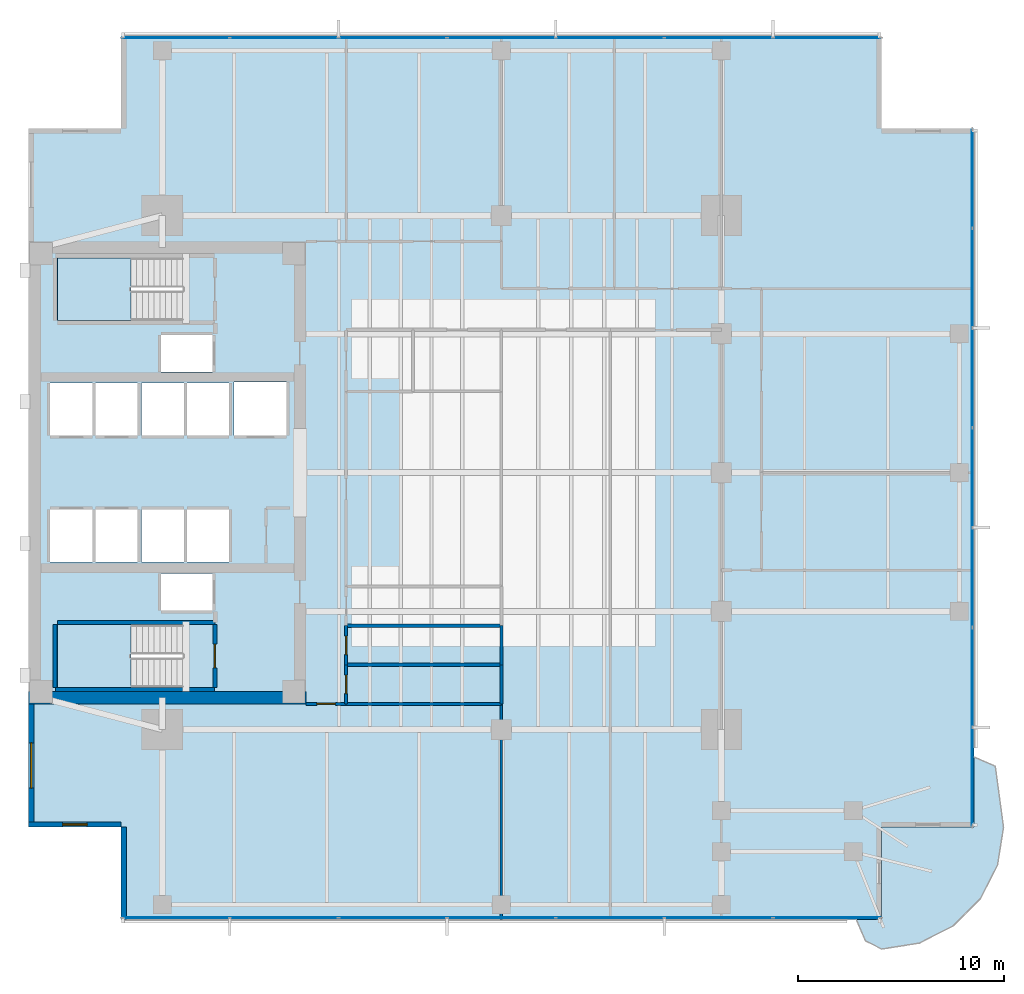
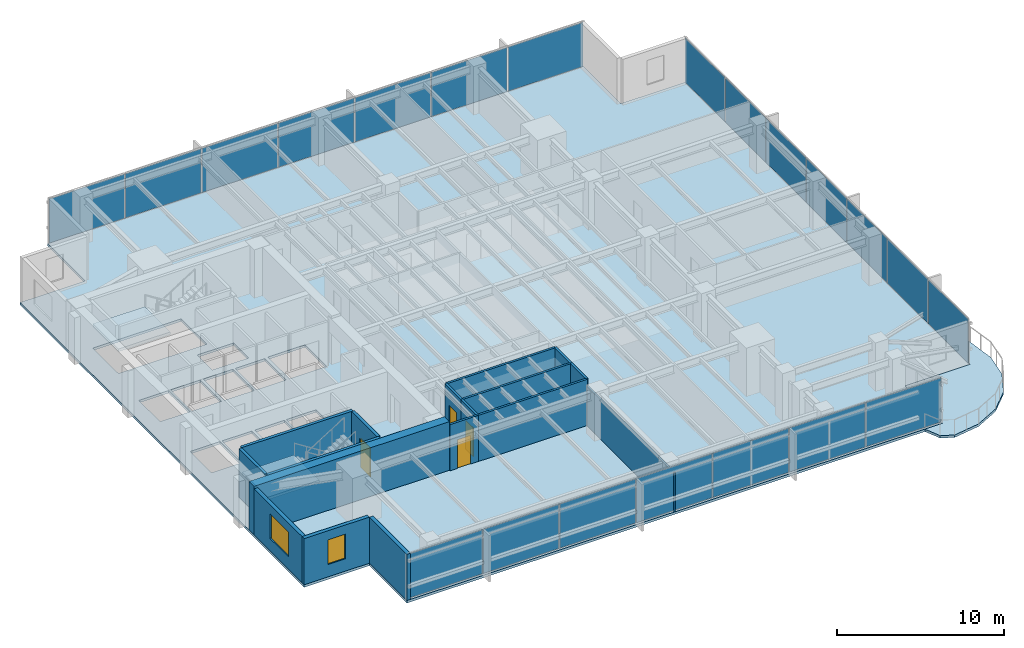
# One storey, part 7 of 14: 21 plates, 17 walls, 4 doors, 4 slabs, 2 windows, 6 openings, 5 elements without a shape of their own.
"""IFC4 building model written with IfcOpenShell, lengths in metres."""

import ifcopenshell
import ifcopenshell.guid

model = None  # the IFC model being written
_history = None  # IfcOwnerHistory: only IFC2X3 demands one
_inside = {}  # id of a spatial element -> (the spatial element, [elements in it])
_under = {}  # id of a project, library or spatial element -> (it, [spatial elements below it])
_declared = {}  # id of a project -> (the project, [libraries it declares])
_typed = {}  # id of a type object -> (the type object, [elements of that type])
_made_of = {}  # id of a material, layer set ... -> (it, [elements and type objects made of it])


def new_model(schema):
    """Start an empty IFC model of exactly this schema.

    Asked for "IFC4X3", IfcOpenShell would pick the latest addendum, in which some entities
    have other attributes; the version numbers below select the first issue.
    IFC2X3 requires an IfcOwnerHistory on every rooted entity: one is made here for all.
    """
    global model, _history
    if schema == "IFC4X3":
        model = ifcopenshell.file(schema_version=(4, 3, 0, 0))
    else:
        model = ifcopenshell.file(schema=schema)
    _inside.clear()
    _under.clear()
    _declared.clear()
    _typed.clear()
    _made_of.clear()
    _history = None
    if model.schema == "IFC2X3":
        org = make("IfcOrganization", Name="unknown")
        user = make(
            "IfcPersonAndOrganization",
            ThePerson=make("IfcPerson", FamilyName="unknown"),
            TheOrganization=org,
        )
        app = make(
            "IfcApplication",
            ApplicationDeveloper=org,
            Version="unknown",
            ApplicationFullName="unknown",
            ApplicationIdentifier="unknown",
        )
        _history = make(
            "IfcOwnerHistory",
            OwningUser=user,
            OwningApplication=app,
            ChangeAction="ADDED",
            CreationDate=0,
        )
    return model


def make(cls, **values):
    """One entity of the class cls with the attributes given. An attribute that is None is left unset."""
    return model.create_entity(
        cls, **{name: value for name, value in values.items() if value is not None}
    )


def rooted(cls, **values):
    """An entity with a GlobalId (a new one), such as an element, a storey or a relation."""
    return make(cls, GlobalId=ifcopenshell.guid.new(), OwnerHistory=_history, **values)


def si_unit(unit_type, name, prefix=None):
    """IfcSIUnit, for example si_unit("LENGTHUNIT", "METRE", prefix="MILLI")."""
    return make("IfcSIUnit", UnitType=unit_type, Prefix=prefix, Name=name)


def assignment(units):
    """IfcUnitAssignment: the units of a project."""
    return None if units is None else make("IfcUnitAssignment", Units=units)


def point(xyz):
    """IfcCartesianPoint."""
    return None if xyz is None else make("IfcCartesianPoint", Coordinates=xyz)


def direction(xyz):
    """IfcDirection."""
    return None if xyz is None else make("IfcDirection", DirectionRatios=xyz)


def frame(location, z_axis=None, x_axis=None):
    """IfcAxis2Placement3D, a coordinate frame: its origin and axes. An axis left out is left unset."""
    return make(
        "IfcAxis2Placement3D",
        Location=point(location),
        Axis=direction(z_axis),
        RefDirection=direction(x_axis),
    )


def frame_2d(location, x_axis=None):
    """IfcAxis2Placement2D, a coordinate frame in the plane: its origin and x axis."""
    return make(
        "IfcAxis2Placement2D", Location=point(location), RefDirection=direction(x_axis)
    )


def origin():
    """The frame at (0, 0, 0) with its axes left unset."""
    return frame((0.0, 0.0, 0.0))


def origin_2d():
    """The frame at (0, 0) in the plane with its x axis left unset."""
    return frame_2d((0.0, 0.0))


def place(relative_to, where):
    """IfcLocalPlacement: puts the frame where relative to a parent placement (None: the world)."""
    return make(
        "IfcLocalPlacement", PlacementRelTo=relative_to, RelativePlacement=where
    )


def context(
    kind, dimensions, precision=None, world=None, true_north=None, identifier=None
):
    """IfcGeometricRepresentationContext, for example the 3D "Model" context."""
    return make(
        "IfcGeometricRepresentationContext",
        ContextIdentifier=identifier,
        ContextType=kind,
        CoordinateSpaceDimension=dimensions,
        Precision=precision,
        WorldCoordinateSystem=world,
        TrueNorth=true_north,
    )


def subcontext(parent, identifier, kind, view, scale=None):
    """IfcGeometricRepresentationSubContext, for example "Body" below "Model"."""
    return make(
        "IfcGeometricRepresentationSubContext",
        ContextIdentifier=identifier,
        ContextType=kind,
        ParentContext=parent,
        TargetScale=scale,
        TargetView=view,
    )


def project(units=None, contexts=None):
    """IfcProject with its units and contexts."""
    return rooted(
        "IfcProject",
        Name="project",
        RepresentationContexts=contexts,
        UnitsInContext=assignment(units),
    )


def spatial(cls, under=None, at=None, **own):
    """A site, building, storey or space (cls), placed at a placement, below another one or the project."""
    s = rooted(cls, ObjectPlacement=at, **own)
    if under is not None:
        _under.setdefault(under.id(), (under, []))[1].append(s)
    return s


def polyline(points):
    """IfcPolyline through the points."""
    return make("IfcPolyline", Points=[point(p) for p in points])


def profile(cls, at=None, kind="AREA", **sizes):
    """A parametric profile (cls). Its sizes go by their IFC names, for example OverallWidth=200.0."""
    return make(cls, ProfileType=kind, Position=at, **sizes)


def rectangle(**sizes):
    """IfcRectangleProfileDef."""
    return profile("IfcRectangleProfileDef", **sizes)


def outline(outer, holes=None, kind="AREA"):
    """IfcArbitraryClosedProfileDef: a profile drawn as a closed curve; with holes, ...WithVoids."""
    if holes is None:
        return make("IfcArbitraryClosedProfileDef", ProfileType=kind, OuterCurve=outer)
    return make(
        "IfcArbitraryProfileDefWithVoids",
        ProfileType=kind,
        OuterCurve=outer,
        InnerCurves=holes,
    )


def extrude(swept, where, along, depth):
    """IfcExtrudedAreaSolid: the profile swept, set in the frame where, extruded along a direction by depth."""
    return make(
        "IfcExtrudedAreaSolid",
        SweptArea=swept,
        Position=where,
        ExtrudedDirection=direction(along),
        Depth=depth,
    )


def shape(context_of_items, identifier, shape_type, items):
    """IfcShapeRepresentation: the items that make up one representation, for example the "Body"."""
    return make(
        "IfcShapeRepresentation",
        ContextOfItems=context_of_items,
        RepresentationIdentifier=identifier,
        RepresentationType=shape_type,
        Items=items,
    )


def material(Name=None, Category=None):
    """IfcMaterial."""
    return make("IfcMaterial", Name=Name, Category=Category)


def layer(
    of_material, thickness, ventilated=None, Name=None, Category=None, Priority=None
):
    """IfcMaterialLayer: one layer of a wall or slab, of a material (None: an air gap)."""
    return make(
        "IfcMaterialLayer",
        Material=of_material,
        LayerThickness=thickness,
        IsVentilated=ventilated,
        Name=Name,
        Category=Category,
        Priority=Priority,
    )


def layer_set(layers, Name=None):
    """IfcMaterialLayerSet."""
    return make("IfcMaterialLayerSet", MaterialLayers=layers, LayerSetName=Name)


def made_of(thing, what):
    """Note that an element or type object is made of a material, layer set ...; save() writes the relation."""
    if what is not None:
        _made_of.setdefault(what.id(), (what, []))[1].append(thing)
    return thing


def type_object(cls, material=None, **own):
    """A type object (cls), such as IfcWallType, which elements share."""
    return made_of(rooted(cls, **own), material)


def element(
    cls,
    number,
    at=None,
    inside=None,
    cuts=None,
    type_object=None,
    material=None,
    context=None,
    identifier="Body",
    shape_type=None,
    held_by="IfcProductDefinitionShape",
    body=None,
    shapes=None,
    **own,
):
    """One element of the class cls, such as IfcWall. Its Tag is "e" and its number.

    at: its placement. inside: the storey or other place that contains it. cuts: it is an
    opening in that element (IfcRelVoidsElement). A single representation is given by context,
    identifier, shape_type and body (its items); several are given by shapes. held_by: the class
    of the entity that holds the representations. save() writes the other relations.
    """
    e = rooted(cls, Tag="e%d" % number, ObjectPlacement=at, **own)
    if body is not None:
        shapes = [shape(context, identifier, shape_type, body)]
    if shapes is not None:
        e.Representation = make(held_by, Representations=shapes)
    if inside is not None:
        _inside.setdefault(inside.id(), (inside, []))[1].append(e)
    if cuts is not None:
        rooted(
            "IfcRelVoidsElement", RelatingBuildingElement=cuts, RelatedOpeningElement=e
        )
    if type_object is not None:
        _typed.setdefault(type_object.id(), (type_object, []))[1].append(e)
    return made_of(e, material)


def fill(opening, filler):
    """IfcRelFillsElement: the door or window that sits in an opening."""
    return rooted(
        "IfcRelFillsElement",
        RelatingOpeningElement=opening,
        RelatedBuildingElement=filler,
    )


def aggregate(whole, parts):
    """IfcRelAggregates: a whole, such as a stair, and the parts it consists of."""
    return rooted("IfcRelAggregates", RelatingObject=whole, RelatedObjects=parts)


def save(model, path):
    """Write the relations noted so far, then the file.

    IfcRelAggregates (storeys below a building ...), IfcRelContainedInSpatialStructure (elements
    in a storey), IfcRelDefinesByType, IfcRelAssociatesMaterial and IfcRelDeclares: one each for
    every whole, place, type object, material and project.
    """
    for whole, parts in _under.values():
        aggregate(whole, parts)
    for where, things in _inside.values():
        rooted(
            "IfcRelContainedInSpatialStructure",
            RelatedElements=things,
            RelatingStructure=where,
        )
    for kind, things in _typed.values():
        rooted("IfcRelDefinesByType", RelatedObjects=things, RelatingType=kind)
    for what, things in _made_of.values():
        rooted("IfcRelAssociatesMaterial", RelatedObjects=things, RelatingMaterial=what)
    for by, libraries in _declared.values():
        rooted("IfcRelDeclares", RelatingContext=by, RelatedDefinitions=libraries)
    model.write(path)


model = new_model("IFC4")

# Units and contexts
model_context = context("Model", 3, precision=1e-05, world=origin(), true_north=direction((0.0, 1.0)))
body_context = subcontext(model_context, "Body", "Model", "MODEL_VIEW")
ifc_project = project(units=[si_unit("LENGTHUNIT", "METRE"), si_unit("AREAUNIT", "SQUARE_METRE"), si_unit("VOLUMEUNIT", "CUBIC_METRE"), si_unit("PLANEANGLEUNIT", "RADIAN"), si_unit("MASSUNIT", "GRAM", prefix="KILO")], contexts=[model_context])

# Site, building, storey
site_placement = place(None, origin())
site = spatial("IfcSite", under=ifc_project, at=site_placement, CompositionType="ELEMENT")
building_placement = place(site_placement, origin())
building = spatial("IfcBuilding", under=site, at=building_placement, Name="Kinhvarn Gate Tower", CompositionType="ELEMENT")
storey_placement = place(building_placement, frame((0.0, 0.0, 120.0)))
storey = spatial("IfcBuildingStorey", under=building, at=storey_placement, Name="L31", CompositionType="ELEMENT", Elevation=120.0)

# Curtain wall, plates
ifc_material_1 = material(Name="Anodised aluminium AW-6063", Category="aluminium")
ifc_layer_1 = layer(ifc_material_1, 0.179931640625)
ifc_layer_set_1 = layer_set([ifc_layer_1], Name="Anodised aluminium AW-6063")
curtain_wall_type = type_object("IfcCurtainWallType", Name="CW-SYS-3", PredefinedType="NOTDEFINED", material=ifc_layer_set_1)
curtain_wall_1_placement = place(storey_placement, origin())
curtain_wall_1 = element("IfcCurtainWall", 1, at=curtain_wall_1_placement, inside=storey, type_object=curtain_wall_type, Name="Curtain Wall CW3 (L31)", PredefinedType="NOTDEFINED")
ifc_material_2 = material(Name="Clear low-e double glazing", Category="glass")
ifc_layer_2 = layer(ifc_material_2, 0.031982421875)
ifc_layer_set_2 = layer_set([ifc_layer_2], Name="Clear low-e double glazing")
plate_type = type_object("IfcPlateType", Name="CW-PNL-VIS", PredefinedType="CURTAIN_PANEL", material=ifc_layer_set_2)
plate_1_placement = place(storey_placement, frame((11.6591796875, 3.590087890625, 0.070068359375), z_axis=(0.0, 0.0, 1.0), x_axis=(1.0, 0.0, 0.0)))
plate_1 = element("IfcPlate", 2, at=plate_1_placement, type_object=plate_type, Name="CW3 panel 1.1", PredefinedType="CURTAIN_PANEL", context=body_context, shape_type="SweptSolid", body=[
    extrude(rectangle(XDim=5.188232421875, YDim=0.031982421875, at=origin_2d()), origin(), (0.0, 0.0, 1.0), 3.22998046875),
])
plate_2_placement = place(storey_placement, frame((16.928466796875, 3.590087890625, 0.070068359375), z_axis=(0.0, 0.0, 1.0), x_axis=(1.0, 0.0, 0.0)))
plate_2 = element("IfcPlate", 3, at=plate_2_placement, type_object=plate_type, Name="CW3 panel 2.1", PredefinedType="CURTAIN_PANEL", context=body_context, shape_type="SweptSolid", body=[
    extrude(rectangle(XDim=5.220703125, YDim=0.031982421875, at=origin_2d()), origin(), (0.0, 0.0, 1.0), 3.22998046875),
])
plate_3_placement = place(storey_placement, frame((22.21435546875, 3.590087890625, 0.070068359375), z_axis=(0.0, 0.0, 1.0), x_axis=(1.0, 0.0, 0.0)))
plate_3 = element("IfcPlate", 4, at=plate_3_placement, type_object=plate_type, Name="CW3 panel 3.1", PredefinedType="CURTAIN_PANEL", context=body_context, shape_type="SweptSolid", body=[
    extrude(rectangle(XDim=5.220703125, YDim=0.031982421875, at=origin_2d()), origin(), (0.0, 0.0, 1.0), 3.22998046875),
])
plate_4_placement = place(storey_placement, frame((27.5, 3.590087890625, 0.070068359375), z_axis=(0.0, 0.0, 1.0), x_axis=(1.0, 0.0, 0.0)))
plate_4 = element("IfcPlate", 5, at=plate_4_placement, type_object=plate_type, Name="CW3 panel 4.1", PredefinedType="CURTAIN_PANEL", context=body_context, shape_type="SweptSolid", body=[
    extrude(rectangle(XDim=5.220703125, YDim=0.031982421875, at=origin_2d()), origin(), (0.0, 0.0, 1.0), 3.22998046875),
])
plate_5_placement = place(storey_placement, frame((32.78564453125, 3.590087890625, 0.070068359375), z_axis=(0.0, 0.0, 1.0), x_axis=(1.0, 0.0, 0.0)))
plate_5 = element("IfcPlate", 6, at=plate_5_placement, type_object=plate_type, Name="CW3 panel 5.1", PredefinedType="CURTAIN_PANEL", context=body_context, shape_type="SweptSolid", body=[
    extrude(rectangle(XDim=5.220703125, YDim=0.031982421875, at=origin_2d()), origin(), (0.0, 0.0, 1.0), 3.22998046875),
])
plate_6_placement = place(storey_placement, frame((38.071533203125, 3.590087890625, 0.070068359375), z_axis=(0.0, 0.0, 1.0), x_axis=(1.0, 0.0, 0.0)))
plate_6 = element("IfcPlate", 7, at=plate_6_placement, type_object=plate_type, Name="CW3 panel 6.1", PredefinedType="CURTAIN_PANEL", context=body_context, shape_type="SweptSolid", body=[
    extrude(rectangle(XDim=5.220703125, YDim=0.031982421875, at=origin_2d()), origin(), (0.0, 0.0, 1.0), 3.22998046875),
])
plate_7_placement = place(storey_placement, frame((43.3408203125, 3.590087890625, 0.070068359375), z_axis=(0.0, 0.0, 1.0), x_axis=(1.0, 0.0, 0.0)))
plate_7 = element("IfcPlate", 8, at=plate_7_placement, type_object=plate_type, Name="CW3 panel 7.1", PredefinedType="CURTAIN_PANEL", context=body_context, shape_type="SweptSolid", body=[
    extrude(rectangle(XDim=5.188232421875, YDim=0.031982421875, at=origin_2d()), origin(), (0.0, 0.0, 1.0), 3.22998046875),
])
aggregate(curtain_wall_1, [plate_1, plate_2, plate_3, plate_4, plate_5, plate_6, plate_7])

curtain_wall_2_placement = place(storey_placement, origin())
curtain_wall_2 = element("IfcCurtainWall", 9, at=curtain_wall_2_placement, inside=storey, type_object=curtain_wall_type, Name="Curtain Wall CW3 (L31)", PredefinedType="NOTDEFINED")
plate_8_placement = place(storey_placement, frame((43.3408203125, 46.409912109375, 0.070068359375), z_axis=(0.0, 0.0, 1.0), x_axis=(-1.0, 0.0, 0.0)))
plate_8 = element("IfcPlate", 10, at=plate_8_placement, type_object=plate_type, Name="CW3 panel 1.1", PredefinedType="CURTAIN_PANEL", context=body_context, shape_type="SweptSolid", body=[
    extrude(rectangle(XDim=5.188232421875, YDim=0.031982421875, at=origin_2d()), origin(), (0.0, 0.0, 1.0), 3.22998046875),
])
plate_9_placement = place(storey_placement, frame((38.071533203125, 46.409912109375, 0.070068359375), z_axis=(0.0, 0.0, 1.0), x_axis=(-1.0, 0.0, 0.0)))
plate_9 = element("IfcPlate", 11, at=plate_9_placement, type_object=plate_type, Name="CW3 panel 2.1", PredefinedType="CURTAIN_PANEL", context=body_context, shape_type="SweptSolid", body=[
    extrude(rectangle(XDim=5.220703125, YDim=0.031982421875, at=origin_2d()), origin(), (0.0, 0.0, 1.0), 3.22998046875),
])
plate_10_placement = place(storey_placement, frame((32.78564453125, 46.409912109375, 0.070068359375), z_axis=(0.0, 0.0, 1.0), x_axis=(-1.0, 0.0, 0.0)))
plate_10 = element("IfcPlate", 12, at=plate_10_placement, type_object=plate_type, Name="CW3 panel 3.1", PredefinedType="CURTAIN_PANEL", context=body_context, shape_type="SweptSolid", body=[
    extrude(rectangle(XDim=5.220703125, YDim=0.031982421875, at=origin_2d()), origin(), (0.0, 0.0, 1.0), 3.22998046875),
])
plate_11_placement = place(storey_placement, frame((27.5, 46.409912109375, 0.070068359375), z_axis=(0.0, 0.0, 1.0), x_axis=(-1.0, 0.0, 0.0)))
plate_11 = element("IfcPlate", 13, at=plate_11_placement, type_object=plate_type, Name="CW3 panel 4.1", PredefinedType="CURTAIN_PANEL", context=body_context, shape_type="SweptSolid", body=[
    extrude(rectangle(XDim=5.220703125, YDim=0.031982421875, at=origin_2d()), origin(), (0.0, 0.0, 1.0), 3.22998046875),
])
plate_12_placement = place(storey_placement, frame((22.21435546875, 46.409912109375, 0.070068359375), z_axis=(0.0, 0.0, 1.0), x_axis=(-1.0, 0.0, 0.0)))
plate_12 = element("IfcPlate", 14, at=plate_12_placement, type_object=plate_type, Name="CW3 panel 5.1", PredefinedType="CURTAIN_PANEL", context=body_context, shape_type="SweptSolid", body=[
    extrude(rectangle(XDim=5.220703125, YDim=0.031982421875, at=origin_2d()), origin(), (0.0, 0.0, 1.0), 3.22998046875),
])
plate_13_placement = place(storey_placement, frame((16.928466796875, 46.409912109375, 0.070068359375), z_axis=(0.0, 0.0, 1.0), x_axis=(-1.0, 0.0, 0.0)))
plate_13 = element("IfcPlate", 15, at=plate_13_placement, type_object=plate_type, Name="CW3 panel 6.1", PredefinedType="CURTAIN_PANEL", context=body_context, shape_type="SweptSolid", body=[
    extrude(rectangle(XDim=5.220703125, YDim=0.031982421875, at=origin_2d()), origin(), (0.0, 0.0, 1.0), 3.22998046875),
])
plate_14_placement = place(storey_placement, frame((11.6591796875, 46.409912109375, 0.070068359375), z_axis=(0.0, 0.0, 1.0), x_axis=(-1.0, 0.0, 0.0)))
plate_14 = element("IfcPlate", 16, at=plate_14_placement, type_object=plate_type, Name="CW3 panel 7.1", PredefinedType="CURTAIN_PANEL", context=body_context, shape_type="SweptSolid", body=[
    extrude(rectangle(XDim=5.188232421875, YDim=0.031982421875, at=origin_2d()), origin(), (0.0, 0.0, 1.0), 3.22998046875),
])
aggregate(curtain_wall_2, [plate_8, plate_9, plate_10, plate_11, plate_12, plate_13, plate_14])

curtain_wall_3_placement = place(storey_placement, origin())
curtain_wall_3 = element("IfcCurtainWall", 17, at=curtain_wall_3_placement, inside=storey, type_object=curtain_wall_type, Name="Curtain Wall CW3 (L31)", PredefinedType="NOTDEFINED")
plate_15_placement = place(storey_placement, frame((50.409912109375, 10.44482421875, 0.070068359375), z_axis=(0.0, 0.0, 1.0), x_axis=(0.0, 1.0, 0.0)))
plate_15 = element("IfcPlate", 18, at=plate_15_placement, type_object=plate_type, Name="CW3 panel 1.1", PredefinedType="CURTAIN_PANEL", context=body_context, shape_type="SweptSolid", body=[
    extrude(rectangle(XDim=4.759521484375, YDim=0.031982421875, at=origin_2d()), origin(), (0.0, 0.0, 1.0), 3.22998046875),
])
plate_16_placement = place(storey_placement, frame((50.409912109375, 15.28564453125, 0.070068359375), z_axis=(0.0, 0.0, 1.0), x_axis=(0.0, 1.0, 0.0)))
plate_16 = element("IfcPlate", 19, at=plate_16_placement, type_object=plate_type, Name="CW3 panel 2.1", PredefinedType="CURTAIN_PANEL", context=body_context, shape_type="SweptSolid", body=[
    extrude(rectangle(XDim=4.792236328125, YDim=0.031982421875, at=origin_2d()), origin(), (0.0, 0.0, 1.0), 3.22998046875),
])
plate_17_placement = place(storey_placement, frame((50.409912109375, 20.142822265625, 0.070068359375), z_axis=(0.0, 0.0, 1.0), x_axis=(0.0, 1.0, 0.0)))
plate_17 = element("IfcPlate", 20, at=plate_17_placement, type_object=plate_type, Name="CW3 panel 3.1", PredefinedType="CURTAIN_PANEL", context=body_context, shape_type="SweptSolid", body=[
    extrude(rectangle(XDim=4.792236328125, YDim=0.031982421875, at=origin_2d()), origin(), (0.0, 0.0, 1.0), 3.22998046875),
])
plate_18_placement = place(storey_placement, frame((50.409912109375, 25.0, 0.070068359375), z_axis=(0.0, 0.0, 1.0), x_axis=(0.0, 1.0, 0.0)))
plate_18 = element("IfcPlate", 21, at=plate_18_placement, type_object=plate_type, Name="CW3 panel 4.1", PredefinedType="CURTAIN_PANEL", context=body_context, shape_type="SweptSolid", body=[
    extrude(rectangle(XDim=4.792236328125, YDim=0.031982421875, at=origin_2d()), origin(), (0.0, 0.0, 1.0), 3.22998046875),
])
plate_19_placement = place(storey_placement, frame((50.409912109375, 29.857177734375, 0.070068359375), z_axis=(0.0, 0.0, 1.0), x_axis=(0.0, 1.0, 0.0)))
plate_19 = element("IfcPlate", 22, at=plate_19_placement, type_object=plate_type, Name="CW3 panel 5.1", PredefinedType="CURTAIN_PANEL", context=body_context, shape_type="SweptSolid", body=[
    extrude(rectangle(XDim=4.792236328125, YDim=0.031982421875, at=origin_2d()), origin(), (0.0, 0.0, 1.0), 3.22998046875),
])
plate_20_placement = place(storey_placement, frame((50.409912109375, 34.71435546875, 0.070068359375), z_axis=(0.0, 0.0, 1.0), x_axis=(0.0, 1.0, 0.0)))
plate_20 = element("IfcPlate", 23, at=plate_20_placement, type_object=plate_type, Name="CW3 panel 6.1", PredefinedType="CURTAIN_PANEL", context=body_context, shape_type="SweptSolid", body=[
    extrude(rectangle(XDim=4.792236328125, YDim=0.031982421875, at=origin_2d()), origin(), (0.0, 0.0, 1.0), 3.22998046875),
])
plate_21_placement = place(storey_placement, frame((50.409912109375, 39.55517578125, 0.070068359375), z_axis=(0.0, 0.0, 1.0), x_axis=(0.0, 1.0, 0.0)))
plate_21 = element("IfcPlate", 24, at=plate_21_placement, type_object=plate_type, Name="CW3 panel 7.1", PredefinedType="CURTAIN_PANEL", context=body_context, shape_type="SweptSolid", body=[
    extrude(rectangle(XDim=4.759521484375, YDim=0.031982421875, at=origin_2d()), origin(), (0.0, 0.0, 1.0), 3.22998046875),
])
aggregate(curtain_wall_3, [plate_15, plate_16, plate_17, plate_18, plate_19, plate_20, plate_21])

# Slabs
ifc_material_3 = material(Name="Precast white architectural concrete C40/50", Category="concrete")
ifc_layer_3 = layer(ifc_material_3, 0.179931640625)
ifc_layer_set_3 = layer_set([ifc_layer_3], Name="Precast white architectural concrete C40/50")
slab_type_1 = type_object("IfcSlabType", Name="SLB-BAL-180", PredefinedType="FLOOR", material=ifc_layer_set_3)
slab_1_placement = place(storey_placement, frame((0.0, 0.0, -0.179931640625)))
element("IfcSlab", 25, at=slab_1_placement, inside=storey, type_object=slab_type_1, Name="S-Carve Curved Terrace Balcony Slab L31 (SE)", PredefinedType="FLOOR", context=body_context, shape_type="SweptSolid", body=[
    extrude(outline(polyline([(44.76708984375, 3.5), (45.217041015625, 2.470458984375), (46.0, 2.070068359375), (47.83251953125, 2.360107421875), (49.485595703125, 3.202392578125), (50.797607421875, 4.514404296875), (51.639892578125, 6.16748046875), (51.929931640625, 8.0), (51.529541015625, 10.962890625), (50.5, 11.4130859375), (50.5, 8.0), (46.0, 8.0), (46.0, 3.5), (44.76708984375, 3.5)])), origin(), (0.0, 0.0, 1.0), 0.179931640625),
])
ifc_material_4 = material(Name="Concrete C40/50", Category="concrete")
ifc_layer_4 = layer(ifc_material_4, 0.179931640625)
ifc_layer_set_4 = layer_set([ifc_layer_4], Name="Concrete C40/50")
slab_type_2 = type_object("IfcSlabType", Name="SLB-FLR-180", PredefinedType="FLOOR", material=ifc_layer_set_4)
slab_2_placement = place(storey_placement, frame((0.0, 0.0, -0.179931640625)))
element("IfcSlab", 26, at=slab_2_placement, inside=storey, type_object=slab_type_2, Name="Suspended Floor Slab L31", PredefinedType="FLOOR", context=body_context, shape_type="SweptSolid", body=[
    extrude(outline(polyline([(9.0, 3.5), (46.0, 3.5), (46.0, 8.0), (50.5, 8.0), (50.5, 42.0), (46.0, 42.0), (46.0, 46.5), (9.0, 46.5), (9.0, 42.0), (4.5, 42.0), (4.5, 8.0), (9.0, 8.0), (9.0, 3.5)]), holes=[polyline([(5.89990234375, 14.800048828125), (12.0, 14.800048828125), (12.0, 17.85009765625), (5.89990234375, 17.85009765625), (5.89990234375, 14.800048828125)]), polyline([(5.89990234375, 32.64990234375), (12.0, 32.64990234375), (12.0, 35.699951171875), (5.89990234375, 35.699951171875), (5.89990234375, 32.64990234375)]), polyline([(5.550048828125, 20.89990234375), (7.60009765625, 20.89990234375), (7.60009765625, 23.449951171875), (5.550048828125, 23.449951171875), (5.550048828125, 20.89990234375)]), polyline([(7.75, 20.89990234375), (9.800048828125, 20.89990234375), (9.800048828125, 23.449951171875), (7.75, 23.449951171875), (7.75, 20.89990234375)]), polyline([(5.550048828125, 27.050048828125), (7.60009765625, 27.050048828125), (7.60009765625, 29.60009765625), (5.550048828125, 29.60009765625), (5.550048828125, 27.050048828125)]), polyline([(7.75, 27.050048828125), (9.800048828125, 27.050048828125), (9.800048828125, 29.60009765625), (7.75, 29.60009765625), (7.75, 27.050048828125)]), polyline([(10.0, 20.89990234375), (12.050048828125, 20.89990234375), (12.050048828125, 23.449951171875), (10.0, 23.449951171875), (10.0, 20.89990234375)]), polyline([(12.199951171875, 20.89990234375), (14.25, 20.89990234375), (14.25, 23.449951171875), (12.199951171875, 23.449951171875), (12.199951171875, 20.89990234375)]), polyline([(10.0, 27.050048828125), (12.050048828125, 27.050048828125), (12.050048828125, 29.60009765625), (10.0, 29.60009765625), (10.0, 27.050048828125)]), polyline([(12.199951171875, 27.050048828125), (14.25, 27.050048828125), (14.25, 29.60009765625), (12.199951171875, 29.60009765625), (12.199951171875, 27.050048828125)]), polyline([(14.5, 27.050048828125), (17.050048828125, 27.050048828125), (17.050048828125, 29.64990234375), (14.5, 29.64990234375), (14.5, 27.050048828125)]), polyline([(10.949951171875, 18.550048828125), (13.449951171875, 18.550048828125), (13.449951171875, 20.35009765625), (10.949951171875, 20.35009765625), (10.949951171875, 18.550048828125)]), polyline([(10.949951171875, 30.14990234375), (13.449951171875, 30.14990234375), (13.449951171875, 31.949951171875), (10.949951171875, 31.949951171875), (10.949951171875, 30.14990234375)])]), origin(), (0.0, 0.0, 1.0), 0.179931640625),
])

# Stair, slab
stair_type = type_object("IfcStairType", Name="STR-DLG-177", PredefinedType="HALF_TURN_STAIR", material=ifc_material_4)
stair_1_placement = place(storey_placement, origin())
stair_1 = element("IfcStair", 27, at=stair_1_placement, inside=storey, type_object=stair_type, Name="L31 Core Smokeproof Exit Stair ST1", PredefinedType="HALF_TURN_STAIR")
ifc_layer_5 = layer(ifc_material_4, 0.199951171875)
ifc_layer_set_5 = layer_set([ifc_layer_5], Name="Concrete C40/50")
slab_type_3 = type_object("IfcSlabType", Name="SLB-ST-LND", PredefinedType="LANDING", material=ifc_layer_set_5)
slab_3_placement = place(storey_placement, frame((0.0, 0.0, 1.574951171875)))
slab_3 = element("IfcSlab", 28, at=slab_3_placement, type_object=slab_type_3, Name="ST1 landing 1", PredefinedType="LANDING", context=body_context, shape_type="SweptSolid", body=[
    extrude(outline(polyline([(9.47998046875, 17.85009765625), (5.89990234375, 17.85009765625), (5.89990234375, 14.800048828125), (9.47998046875, 14.800048828125), (9.47998046875, 17.85009765625)])), origin(), (0.0, 0.0, 1.0), 0.199951171875),
])
aggregate(stair_1, [slab_3])

stair_2_placement = place(storey_placement, origin())
stair_2 = element("IfcStair", 29, at=stair_2_placement, inside=storey, type_object=stair_type, Name="L31 Core Smokeproof Exit Stair ST2", PredefinedType="HALF_TURN_STAIR")
slab_4_placement = place(storey_placement, frame((0.0, 0.0, 1.574951171875)))
slab_4 = element("IfcSlab", 30, at=slab_4_placement, type_object=slab_type_3, Name="ST2 landing 1", PredefinedType="LANDING", context=body_context, shape_type="SweptSolid", body=[
    extrude(outline(polyline([(9.47998046875, 35.699951171875), (5.89990234375, 35.699951171875), (5.89990234375, 32.64990234375), (9.47998046875, 32.64990234375), (9.47998046875, 35.699951171875)])), origin(), (0.0, 0.0, 1.0), 0.199951171875),
])
aggregate(stair_2, [slab_4])

# Wall
ifc_material_5 = material(Name="Concrete C60/75", Category="concrete")
ifc_layer_6 = layer(ifc_material_5, 0.60009765625)
ifc_layer_set_6 = layer_set([ifc_layer_6], Name="Concrete C60/75")
wall_type_1 = type_object("IfcWallType", Name="WL-CORE-600", PredefinedType="SHEAR", material=ifc_layer_set_6)
wall_1_placement = place(storey_placement, frame((4.5, 14.300048828125, 0.0), z_axis=(0.0, 0.0, 1.0), x_axis=(1.0, 0.0, 0.0)))
element("IfcWall", 31, at=wall_1_placement, inside=storey, type_object=wall_type_1, Name="Core South Shear Wall L31 600 mm", PredefinedType="SHEAR", context=body_context, shape_type="SweptSolid", body=[
    extrude(rectangle(XDim=13.5, YDim=0.60009765625, at=frame_2d((6.75, 0.0))), origin(), (0.0, 0.0, 1.0), 3.550048828125),
])

# Wall, opening, window
ifc_material_6 = material(Name="Fired architectural terracotta", Category="masonry")
ifc_layer_7 = layer(ifc_material_6, 0.25)
ifc_layer_set_7 = layer_set([ifc_layer_7], Name="Fired architectural terracotta")
wall_type_2 = type_object("IfcWallType", Name="WL-EXT-250", PredefinedType="SOLIDWALL", material=ifc_layer_set_7)
wall_2_placement = place(storey_placement, frame((4.625, 14.0, 0.0), z_axis=(0.0, 0.0, 1.0), x_axis=(0.0, -1.0, 0.0)))
wall_2 = element("IfcWall", 32, at=wall_2_placement, inside=storey, type_object=wall_type_2, Name="Exterior Solidwall Wall EW-250 (L31 West-South)", PredefinedType="SOLIDWALL", context=body_context, shape_type="SweptSolid", body=[
    extrude(rectangle(XDim=6.0, YDim=0.25, at=frame_2d((3.0, 0.0))), origin(), (0.0, 0.0, 1.0), 3.3701171875),
])
opening_1_placement = place(wall_2_placement, frame((1.89990234375, 0.0, 0.89990234375)))
opening_1 = element("IfcOpeningElement", 33, at=opening_1_placement, cuts=wall_2, Name="Opening WN-01", PredefinedType="OPENING", context=body_context, shape_type="SweptSolid", body=[
    extrude(rectangle(XDim=2.199951171875, YDim=1.800048828125, at=frame_2d((1.10009765625, 0.89990234375))), frame((0.0, 0.135009765625, 0.0), z_axis=(0.0, -1.0, 0.0), x_axis=(1.0, 0.0, 0.0)), (0.0, 0.0, 1.0), 0.27001953125),
])
window_type_1 = type_object("IfcWindowType", Name="WIN-RIB-2200", PartitioningType="SINGLE_PANEL", PredefinedType="WINDOW", material=ifc_material_2)
window_1_placement = place(opening_1_placement, origin())
window_1 = element("IfcWindow", 34, at=window_1_placement, inside=storey, type_object=window_type_1, Name="West Flank Double-Glazed Ribbon Window 2200x1800 mm (L31)", OverallHeight=1.800048828125, OverallWidth=2.199951171875, PartitioningType="SINGLE_PANEL", PredefinedType="WINDOW", context=body_context, shape_type="SweptSolid", body=[
    extrude(rectangle(XDim=2.199951171875, YDim=1.800048828125, at=frame_2d((1.10009765625, 0.89990234375))), frame((0.0, 0.030029296875, 0.0), z_axis=(0.0, -1.0, 0.0), x_axis=(1.0, 0.0, 0.0)), (0.0, 0.0, 1.0), 0.06005859375),
])
fill(opening_1, window_1)

wall_3_placement = place(storey_placement, frame((4.5, 8.125, 0.0), z_axis=(0.0, 0.0, 1.0), x_axis=(1.0, 0.0, 0.0)))
wall_3 = element("IfcWall", 35, at=wall_3_placement, inside=storey, type_object=wall_type_2, Name="Exterior Solidwall Wall EW-250 (L31 SW-Notch-1)", PredefinedType="SOLIDWALL", context=body_context, shape_type="SweptSolid", body=[
    extrude(rectangle(XDim=4.5, YDim=0.25, at=frame_2d((2.25, 0.0))), origin(), (0.0, 0.0, 1.0), 3.3701171875),
])
opening_2_placement = place(wall_3_placement, frame((1.64990234375, 0.0, 0.89990234375)))
opening_2 = element("IfcOpeningElement", 36, at=opening_2_placement, cuts=wall_3, Name="Opening WN-02", PredefinedType="OPENING", context=body_context, shape_type="SweptSolid", body=[
    extrude(rectangle(XDim=1.199951171875, YDim=1.800048828125, at=frame_2d((0.60009765625, 0.89990234375))), frame((0.0, 0.135009765625, 0.0), z_axis=(0.0, -1.0, 0.0), x_axis=(1.0, 0.0, 0.0)), (0.0, 0.0, 1.0), 0.27001953125),
])
window_type_2 = type_object("IfcWindowType", Name="WIN-NTC-1200", PartitioningType="SINGLE_PANEL", PredefinedType="WINDOW", material=ifc_material_2)
window_2_placement = place(opening_2_placement, origin())
window_2 = element("IfcWindow", 37, at=window_2_placement, inside=storey, type_object=window_type_2, Name="Recessed Corner Notch Punched Window 1200x1800 mm (L31)", OverallHeight=1.800048828125, OverallWidth=1.199951171875, PartitioningType="SINGLE_PANEL", PredefinedType="WINDOW", context=body_context, shape_type="SweptSolid", body=[
    extrude(rectangle(XDim=1.199951171875, YDim=1.800048828125, at=frame_2d((0.60009765625, 0.89990234375))), frame((0.0, 0.030029296875, 0.0), z_axis=(0.0, -1.0, 0.0), x_axis=(1.0, 0.0, 0.0)), (0.0, 0.0, 1.0), 0.06005859375),
])
fill(opening_2, window_2)

# Walls
wall_4_placement = place(storey_placement, frame((9.125, 8.0, 0.0), z_axis=(0.0, 0.0, 1.0), x_axis=(0.0, -1.0, 0.0)))
element("IfcWall", 38, at=wall_4_placement, inside=storey, type_object=wall_type_2, Name="Exterior Solidwall Wall EW-250 (L31 SW-Notch-2)", PredefinedType="SOLIDWALL", context=body_context, shape_type="SweptSolid", body=[
    extrude(rectangle(XDim=4.5, YDim=0.25, at=frame_2d((2.25, 0.0))), origin(), (0.0, 0.0, 1.0), 3.3701171875),
])
ifc_material_7 = material(Name="Gypsum acoustic partition board")
ifc_layer_8 = layer(ifc_material_7, 0.14990234375)
ifc_layer_set_8 = layer_set([ifc_layer_8], Name="Gypsum acoustic partition board")
wall_type_3 = type_object("IfcWallType", Name="WL-PLM-150", PredefinedType="PLUMBINGWALL", material=ifc_layer_set_8)
for number, where, z_axis, x_axis, name in (
    (39, (19.949951171875, 15.89990234375, 0.0), (0.0, 0.0, 1.0), (1.0, 0.0, 0.0), "Interior Partition PLW-150 (L31)"),
    (40, (19.949951171875, 14.0, 0.0), (0.0, 0.0, 1.0), (1.0, 0.0, 0.0), "Interior Partition PLW-150 (L31)"),
):
    element("IfcWall", number, at=place(storey_placement, frame(where, z_axis=z_axis, x_axis=x_axis)), inside=storey, type_object=wall_type_3, Name=name, PredefinedType="PLUMBINGWALL", context=body_context, shape_type="SweptSolid", body=[
        extrude(rectangle(XDim=7.550048828125, YDim=0.14990234375, at=frame_2d((3.77490234375, 0.0))), origin(), (0.0, 0.0, 1.0), 3.3701171875),
    ])
wall_5_placement = place(storey_placement, frame((27.5, 14.0, 0.0), z_axis=(0.0, 0.0, 1.0), x_axis=(0.0, 1.0, 0.0)))
element("IfcWall", 41, at=wall_5_placement, inside=storey, type_object=wall_type_3, Name="Interior Partition PLW-150 (L31)", PredefinedType="PLUMBINGWALL", context=body_context, shape_type="SweptSolid", body=[
    extrude(rectangle(XDim=1.89990234375, YDim=0.14990234375, at=frame_2d((0.949951171875, 0.0))), origin(), (0.0, 0.0, 1.0), 3.3701171875),
])
wall_6_placement = place(storey_placement, frame((19.949951171875, 17.800048828125, 0.0), z_axis=(0.0, 0.0, 1.0), x_axis=(1.0, 0.0, 0.0)))
element("IfcWall", 42, at=wall_6_placement, inside=storey, type_object=wall_type_3, Name="Interior Partition PLW-150 (L31)", PredefinedType="PLUMBINGWALL", context=body_context, shape_type="SweptSolid", body=[
    extrude(rectangle(XDim=7.550048828125, YDim=0.14990234375, at=frame_2d((3.77490234375, 0.0))), origin(), (0.0, 0.0, 1.0), 3.3701171875),
])
wall_7_placement = place(storey_placement, frame((27.5, 15.89990234375, 0.0), z_axis=(0.0, 0.0, 1.0), x_axis=(0.0, 1.0, 0.0)))
element("IfcWall", 43, at=wall_7_placement, inside=storey, type_object=wall_type_3, Name="Interior Partition PLW-150 (L31)", PredefinedType="PLUMBINGWALL", context=body_context, shape_type="SweptSolid", body=[
    extrude(rectangle(XDim=1.900146484375, YDim=0.14990234375, at=frame_2d((0.9501953125, 0.0))), origin(), (0.0, 0.0, 1.0), 3.3701171875),
])

# Wall, opening, door
ifc_layer_9 = layer(ifc_material_7, 0.14990234375)
ifc_layer_set_9 = layer_set([ifc_layer_9], Name="Gypsum acoustic partition board")
wall_type_4 = type_object("IfcWallType", Name="WL-PLM-150F", PredefinedType="PLUMBINGWALL", material=ifc_layer_set_9)
wall_8_placement = place(storey_placement, frame((19.949951171875, 14.0, 0.0), z_axis=(0.0, 0.0, 1.0), x_axis=(0.0, 1.0, 0.0)))
wall_8 = element("IfcWall", 44, at=wall_8_placement, inside=storey, type_object=wall_type_4, Name="Interior Partition PLW-150F (L31)", PredefinedType="PLUMBINGWALL", context=body_context, shape_type="SweptSolid", body=[
    extrude(rectangle(XDim=1.89990234375, YDim=0.14990234375, at=frame_2d((0.949951171875, 0.0))), origin(), (0.0, 0.0, 1.0), 3.3701171875),
])
opening_3_placement = place(wall_8_placement, frame((0.5, 0.0, 0.0)))
opening_3 = element("IfcOpeningElement", 45, at=opening_3_placement, cuts=wall_8, Name="Opening FD-04", PredefinedType="OPENING", context=body_context, shape_type="SweptSolid", body=[
    extrude(rectangle(XDim=0.89990234375, YDim=2.10009765625, at=frame_2d((0.449951171875, 1.050048828125))), frame((0.0, 0.0849609375, 0.0), z_axis=(0.0, -1.0, 0.0), x_axis=(1.0, 0.0, 0.0)), (0.0, 0.0, 1.0), 0.169921875),
])
door_type_1 = type_object("IfcDoorType", Name="DR-FD-900", OperationType="NOTDEFINED", PredefinedType="DOOR", material=ifc_material_1)
door_1_placement = place(opening_3_placement, origin())
door_1 = element("IfcDoor", 46, at=door_1_placement, inside=storey, type_object=door_type_1, Name="Rated Riser & Service Closet Fire Door 900x2100 mm (L31)", OperationType="SINGLE_SWING_RIGHT", OverallHeight=2.10009765625, OverallWidth=0.89990234375, PredefinedType="DOOR", context=body_context, shape_type="SweptSolid", body=[
    extrude(rectangle(XDim=0.89990234375, YDim=2.10009765625, at=frame_2d((0.449951171875, 1.050048828125))), frame((0.0, 0.02490234375, 0.0), z_axis=(0.0, -1.0, 0.0), x_axis=(1.0, 0.0, 0.0)), (0.0, 0.0, 1.0), 0.050048828125),
])
fill(opening_3, door_1)

wall_9_placement = place(storey_placement, frame((19.949951171875, 15.89990234375, 0.0), z_axis=(0.0, 0.0, 1.0), x_axis=(0.0, 1.0, 0.0)))
wall_9 = element("IfcWall", 47, at=wall_9_placement, inside=storey, type_object=wall_type_4, Name="Interior Partition PLW-150F (L31)", PredefinedType="PLUMBINGWALL", context=body_context, shape_type="SweptSolid", body=[
    extrude(rectangle(XDim=1.900146484375, YDim=0.14990234375, at=frame_2d((0.9501953125, 0.0))), origin(), (0.0, 0.0, 1.0), 3.3701171875),
])
opening_4_placement = place(wall_9_placement, frame((0.5, 0.0, 0.0)))
opening_4 = element("IfcOpeningElement", 48, at=opening_4_placement, cuts=wall_9, Name="Opening FD-04", PredefinedType="OPENING", context=body_context, shape_type="SweptSolid", body=[
    extrude(rectangle(XDim=0.89990234375, YDim=2.10009765625, at=frame_2d((0.449951171875, 1.050048828125))), frame((0.0, 0.0849609375, 0.0), z_axis=(0.0, -1.0, 0.0), x_axis=(1.0, 0.0, 0.0)), (0.0, 0.0, 1.0), 0.169921875),
])
door_2_placement = place(opening_4_placement, origin())
door_2 = element("IfcDoor", 49, at=door_2_placement, inside=storey, type_object=door_type_1, Name="Rated Riser & Service Closet Fire Door 900x2100 mm (L31)", OperationType="SINGLE_SWING_LEFT", OverallHeight=2.10009765625, OverallWidth=0.89990234375, PredefinedType="DOOR", context=body_context, shape_type="SweptSolid", body=[
    extrude(rectangle(XDim=0.89990234375, YDim=2.10009765625, at=frame_2d((0.449951171875, 1.050048828125))), frame((0.0, 0.02490234375, 0.0), z_axis=(0.0, -1.0, 0.0), x_axis=(1.0, 0.0, 0.0)), (0.0, 0.0, 1.0), 0.050048828125),
])
fill(opening_4, door_2)

# Wall
ifc_layer_10 = layer(ifc_material_7, 0.1201171875)
ifc_layer_set_10 = layer_set([ifc_layer_10], Name="Gypsum acoustic partition board")
wall_type_5 = type_object("IfcWallType", Name="WL-PRT-120", PredefinedType="PARTITIONING", material=ifc_layer_set_10)
wall_10_placement = place(storey_placement, frame((27.5, 3.510009765625, 0.0), z_axis=(0.0, 0.0, 1.0), x_axis=(0.0, 1.0, 0.0)))
element("IfcWall", 50, at=wall_10_placement, inside=storey, type_object=wall_type_5, Name="Interior Partition PW-120 (L31)", PredefinedType="PARTITIONING", context=body_context, shape_type="SweptSolid", body=[
    extrude(rectangle(XDim=10.489990234375, YDim=0.1201171875, at=frame_2d((5.2451171875, 0.0))), origin(), (0.0, 0.0, 1.0), 2.8701171875),
])

# Wall, opening, door
ifc_layer_11 = layer(ifc_material_7, 0.14990234375)
ifc_layer_set_11 = layer_set([ifc_layer_11], Name="Gypsum acoustic partition board")
wall_type_6 = type_object("IfcWallType", Name="WL-PRT-150F", PredefinedType="PARTITIONING", material=ifc_layer_set_11)
wall_11_placement = place(storey_placement, frame((18.0, 14.0, 0.0), z_axis=(0.0, 0.0, 1.0), x_axis=(1.0, 0.0, 0.0)))
wall_11 = element("IfcWall", 51, at=wall_11_placement, inside=storey, type_object=wall_type_6, Name="Interior Partition PW-150F (L31)", PredefinedType="PARTITIONING", context=body_context, shape_type="SweptSolid", body=[
    extrude(rectangle(XDim=1.949951171875, YDim=0.14990234375, at=frame_2d((0.97509765625, 0.0))), origin(), (0.0, 0.0, 1.0), 3.3701171875),
])
opening_5_placement = place(wall_11_placement, frame((0.52490234375, 0.0, 0.0)))
opening_5 = element("IfcOpeningElement", 52, at=opening_5_placement, cuts=wall_11, Name="Opening ID-03", PredefinedType="OPENING", context=body_context, shape_type="SweptSolid", body=[
    extrude(rectangle(XDim=0.89990234375, YDim=2.10009765625, at=frame_2d((0.449951171875, 1.050048828125))), frame((0.0, 0.0849609375, 0.0), z_axis=(0.0, -1.0, 0.0), x_axis=(1.0, 0.0, 0.0)), (0.0, 0.0, 1.0), 0.169921875),
])
door_type_2 = type_object("IfcDoorType", Name="DR-INT-900", OperationType="NOTDEFINED", PredefinedType="DOOR", material=ifc_material_1)
door_3_placement = place(opening_5_placement, origin())
door_3 = element("IfcDoor", 53, at=door_3_placement, inside=storey, type_object=door_type_2, Name="Cellular Office & Restroom Door 900x2100 mm (L31)", OperationType="SINGLE_SWING_LEFT", OverallHeight=2.10009765625, OverallWidth=0.89990234375, PredefinedType="DOOR", context=body_context, shape_type="SweptSolid", body=[
    extrude(rectangle(XDim=0.89990234375, YDim=2.10009765625, at=frame_2d((0.449951171875, 1.050048828125))), frame((0.0, 0.02490234375, 0.0), z_axis=(0.0, -1.0, 0.0), x_axis=(1.0, 0.0, 0.0)), (0.0, 0.0, 1.0), 0.050048828125),
])
fill(opening_5, door_3)

# Walls
ifc_layer_12 = layer(ifc_material_4, 0.199951171875)
ifc_layer_set_12 = layer_set([ifc_layer_12], Name="Concrete C40/50")
wall_type_7 = type_object("IfcWallType", Name="WL-SHF-200", PredefinedType="SOLIDWALL", material=ifc_layer_set_12)
wall_12_placement = place(storey_placement, frame((5.800048828125, 14.699951171875, 0.0), z_axis=(0.0, 0.0, 1.0), x_axis=(1.0, 0.0, 0.0)))
element("IfcWall", 54, at=wall_12_placement, inside=storey, type_object=wall_type_7, Name="Stair ST1 South Shaft Wall (L31)", PredefinedType="SOLIDWALL", context=body_context, shape_type="SweptSolid", body=[
    extrude(rectangle(XDim=7.75, YDim=0.199951171875, at=frame_2d((3.875, 0.0))), origin(), (0.0, 0.0, 1.0), 3.550048828125),
])
wall_13_placement = place(storey_placement, frame((5.7900390625, 14.800048828125, 0.0), z_axis=(0.0, 0.0, 1.0), x_axis=(0.0, 1.0, 0.0)))
element("IfcWall", 55, at=wall_13_placement, inside=storey, type_object=wall_type_7, Name="Stair ST1 West Shaft Wall (L31)", PredefinedType="SOLIDWALL", context=body_context, shape_type="SweptSolid", body=[
    extrude(rectangle(XDim=3.050048828125, YDim=0.199951171875, at=frame_2d((1.52490234375, 0.0))), origin(), (0.0, 0.0, 1.0), 3.550048828125),
])
wall_14_placement = place(storey_placement, frame((5.89990234375, 17.9599609375, 0.0), z_axis=(0.0, 0.0, 1.0), x_axis=(1.0, 0.0, 0.0)))
element("IfcWall", 56, at=wall_14_placement, inside=storey, type_object=wall_type_7, Name="Stair ST1 North Shaft Wall (L31)", PredefinedType="SOLIDWALL", context=body_context, shape_type="SweptSolid", body=[
    extrude(rectangle(XDim=7.66015625, YDim=0.199951171875, at=frame_2d((3.830078125, 0.0))), origin(), (0.0, 0.0, 1.0), 3.550048828125),
])

# Wall, opening, door
wall_15_placement = place(storey_placement, frame((13.56005859375, 14.800048828125, 0.0), z_axis=(0.0, 0.0, 1.0), x_axis=(0.0, 1.0, 0.0)))
wall_15 = element("IfcWall", 57, at=wall_15_placement, inside=storey, type_object=wall_type_7, Name="Stair ST1 East Entry Wall (L31)", PredefinedType="SOLIDWALL", context=body_context, shape_type="SweptSolid", body=[
    extrude(rectangle(XDim=3.050048828125, YDim=0.199951171875, at=frame_2d((1.52490234375, 0.0))), origin(), (0.0, 0.0, 1.0), 3.550048828125),
])
opening_6_placement = place(wall_15_placement, frame((0.949951171875, 0.0, 0.0)))
opening_6 = element("IfcOpeningElement", 58, at=opening_6_placement, cuts=wall_15, Name="Opening FD-01", PredefinedType="OPENING", context=body_context, shape_type="SweptSolid", body=[
    extrude(rectangle(XDim=1.14990234375, YDim=2.14990234375, at=frame_2d((0.574951171875, 1.074951171875))), frame((0.0, 0.10986328125, 0.0), z_axis=(0.0, -1.0, 0.0), x_axis=(1.0, 0.0, 0.0)), (0.0, 0.0, 1.0), 0.219970703125),
])
door_type_3 = type_object("IfcDoorType", Name="DR-ST-1150", OperationType="NOTDEFINED", PredefinedType="DOOR", material=ifc_material_1)
door_4_placement = place(opening_6_placement, origin())
door_4 = element("IfcDoor", 59, at=door_4_placement, inside=storey, type_object=door_type_3, Name="Exit Stair ST1 Fire Door (L31)", OperationType="SINGLE_SWING_LEFT", OverallHeight=2.14990234375, OverallWidth=1.14990234375, PredefinedType="DOOR", context=body_context, shape_type="SweptSolid", body=[
    extrude(rectangle(XDim=1.14990234375, YDim=2.14990234375, at=frame_2d((0.574951171875, 1.074951171875))), frame((0.0, 0.02490234375, 0.0), z_axis=(0.0, -1.0, 0.0), x_axis=(1.0, 0.0, 0.0)), (0.0, 0.0, 1.0), 0.050048828125),
])
fill(opening_6, door_4)

save(model, "model.ifc")
